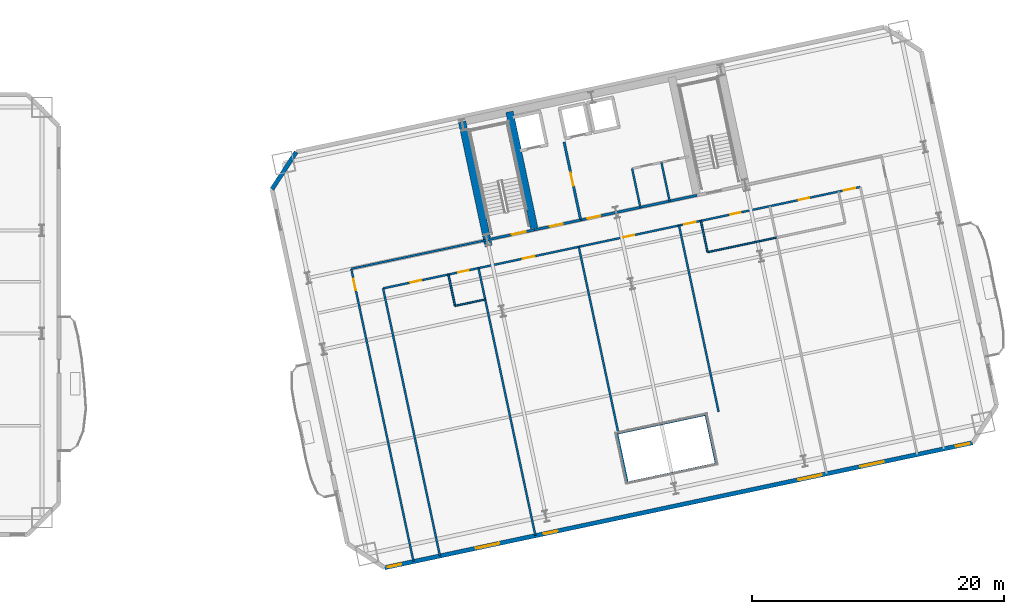
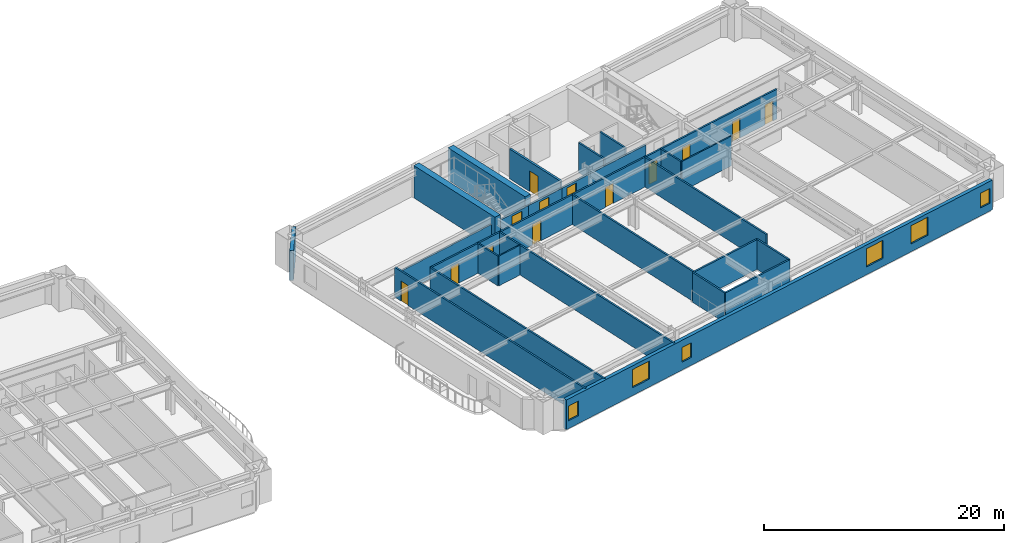
# One storey, part 8 of 17: 25 walls, 13 doors, 6 windows, 19 openings.
"""IFC4 building model written with IfcOpenShell, lengths in metres."""

from ifc_helpers import new_model, si_unit, direction, frame, frame_2d, origin, place, context, subcontext, project, spatial, rectangle, extrude, material, layer, layer_set, type_object, element, fill, save


model = new_model("IFC4")

# Units and contexts
model_context = context("Model", 3, precision=1e-05, world=origin(), true_north=direction((0.0, 1.0)))
body_context = subcontext(model_context, "Body", "Model", "MODEL_VIEW")
ifc_project = project(units=[si_unit("LENGTHUNIT", "METRE"), si_unit("AREAUNIT", "SQUARE_METRE"), si_unit("VOLUMEUNIT", "CUBIC_METRE"), si_unit("PLANEANGLEUNIT", "RADIAN"), si_unit("MASSUNIT", "GRAM", prefix="KILO")], contexts=[model_context])

# Site, building, storey
site_placement = place(None, origin())
site = spatial("IfcSite", under=ifc_project, at=site_placement, CompositionType="ELEMENT")
building_placement = place(site_placement, origin())
building = spatial("IfcBuilding", under=site, at=building_placement, Name="Haevon Station Towers", CompositionType="ELEMENT")
storey_placement = place(building_placement, frame((0.0, 0.0, 37.199951171875)))
storey = spatial("IfcBuildingStorey", under=building, at=storey_placement, Name="L08", CompositionType="ELEMENT", Elevation=37.199951171875)

# Wall, opening, door
ifc_material_1 = material(Name="Gypsum board on steel stud", Category="steel")
ifc_layer_1 = layer(ifc_material_1, 0.199951171875)
ifc_layer_set_1 = layer_set([ifc_layer_1], Name="Gypsum board on steel stud")
wall_type_1 = type_object("IfcWallType", Name="WL-COR200", PredefinedType="PARTITIONING", material=ifc_layer_set_1)
wall_1_placement = place(storey_placement, frame((98.75244140625, 37.4423828125, 0.0), z_axis=(0.0, 0.0, 1.0), x_axis=(0.978143537786, 0.207930804564, 0.0)))
wall_1 = element("IfcWall", 1, at=wall_1_placement, inside=storey, type_object=wall_type_1, Name="WL-ST-ST3-L08", PredefinedType="PARTITIONING", context=body_context, shape_type="SweptSolid", body=[
    extrude(rectangle(XDim=3.85009765625, YDim=0.199951171875, at=frame_2d((1.925048828125, 0.0))), origin(), (0.0, 0.0, 1.0), 2.330078125),
])
opening_1_placement = place(wall_1_placement, frame((2.0, 0.0, 0.0)))
opening_1 = element("IfcOpeningElement", 2, at=opening_1_placement, cuts=wall_1, Name="Opening DR-ST-ST3-L08", PredefinedType="OPENING", context=body_context, shape_type="SweptSolid", body=[
    extrude(rectangle(XDim=1.1201171875, YDim=2.10009765625, at=frame_2d((0.56005859375, 1.050048828125))), frame((0.0, 0.10986328125, 0.0), z_axis=(0.0, -1.0, 0.0), x_axis=(1.0, 0.0, 0.0)), (0.0, 0.0, 1.0), 0.219970703125),
])
ifc_material_2 = material(Name="Engineered oak timber", Category="wood")
door_type_1 = type_object("IfcDoorType", Name="DR-ST-1120", OperationType="NOTDEFINED", PredefinedType="DOOR", material=ifc_material_2)
door_1_placement = place(opening_1_placement, origin())
door_1 = element("IfcDoor", 3, at=door_1_placement, inside=storey, type_object=door_type_1, Name="L08 Escape Stair ST3 Fire Door", OperationType="SINGLE_SWING_RIGHT", OverallHeight=2.10009765625, OverallWidth=1.1201171875, PredefinedType="DOOR", context=body_context, shape_type="SweptSolid", body=[
    extrude(rectangle(XDim=1.1201171875, YDim=2.10009765625, at=frame_2d((0.56005859375, 1.050048828125))), frame((0.0, 0.02490234375, 0.0), z_axis=(0.0, -1.0, 0.0), x_axis=(1.0, 0.0, 0.0)), (0.0, 0.0, 1.0), 0.050048828125),
])
fill(opening_1, door_1)

wall_2_placement = place(storey_placement, frame((106.186279296875, 39.0224609375, 0.0), z_axis=(0.0, 0.0, 1.0), x_axis=(-0.207916691923, 0.978146537703, 0.0)))
wall_2 = element("IfcWall", 4, at=wall_2_placement, inside=storey, type_object=wall_type_1, Name="WL-T2FFL-L08-E", PredefinedType="PARTITIONING", context=body_context, shape_type="SweptSolid", body=[
    extrude(rectangle(XDim=6.35009765625, YDim=0.199951171875, at=frame_2d((3.175048828125, 0.0))), origin(), (0.0, 0.0, 1.0), 3.030029296875),
])
opening_2_placement = place(wall_2_placement, frame((2.800048828125, 0.0, 0.0)))
opening_2 = element("IfcOpeningElement", 5, at=opening_2_placement, cuts=wall_2, Name="Opening DR-T2FFL-L08-E", PredefinedType="OPENING", context=body_context, shape_type="SweptSolid", body=[
    extrude(rectangle(XDim=1.050048828125, YDim=2.10009765625, at=frame_2d((0.52490234375, 1.050048828125))), frame((0.0, 0.10986328125, 0.0), z_axis=(0.0, -1.0, 0.0), x_axis=(1.0, 0.0, 0.0)), (0.0, 0.0, 1.0), 0.219970703125),
])
door_type_2 = type_object("IfcDoorType", Name="DR-FD60-1050", OperationType="NOTDEFINED", PredefinedType="DOOR", material=ifc_material_2)
door_2_placement = place(opening_2_placement, origin())
door_2 = element("IfcDoor", 6, at=door_2_placement, inside=storey, type_object=door_type_2, Name="L08 Tower 2 Firefighting Lift Lobby Door E", OperationType="SINGLE_SWING_RIGHT", OverallHeight=2.10009765625, OverallWidth=1.050048828125, PredefinedType="DOOR", context=body_context, shape_type="SweptSolid", body=[
    extrude(rectangle(XDim=1.050048828125, YDim=2.10009765625, at=frame_2d((0.52490234375, 1.050048828125))), frame((0.0, 0.02490234375, 0.0), z_axis=(0.0, -1.0, 0.0), x_axis=(1.0, 0.0, 0.0)), (0.0, 0.0, 1.0), 0.050048828125),
])
fill(opening_2, door_2)

wall_3_placement = place(storey_placement, frame((102.518310546875, 38.242919921875, 0.0), z_axis=(0.0, 0.0, 1.0), x_axis=(0.978153555683, 0.20788367301, 0.0)))
wall_3 = element("IfcWall", 7, at=wall_3_placement, inside=storey, type_object=wall_type_1, Name="WL-T2FFL-L08-S", PredefinedType="PARTITIONING", context=body_context, shape_type="SweptSolid", body=[
    extrude(rectangle(XDim=3.75, YDim=0.199951171875, at=frame_2d((1.875, 0.0))), origin(), (0.0, 0.0, 1.0), 2.330078125),
])
opening_3_placement = place(wall_3_placement, frame((1.25, 0.0, 0.0)))
opening_3 = element("IfcOpeningElement", 8, at=opening_3_placement, cuts=wall_3, Name="Opening DR-T2FFL-L08-S", PredefinedType="OPENING", context=body_context, shape_type="SweptSolid", body=[
    extrude(rectangle(XDim=1.050048828125, YDim=2.10009765625, at=frame_2d((0.52490234375, 1.050048828125))), frame((0.0, 0.10986328125, 0.0), z_axis=(0.0, -1.0, 0.0), x_axis=(1.0, 0.0, 0.0)), (0.0, 0.0, 1.0), 0.219970703125),
])
door_3_placement = place(opening_3_placement, origin())
door_3 = element("IfcDoor", 9, at=door_3_placement, inside=storey, type_object=door_type_2, Name="L08 Tower 2 Firefighting Lift Lobby Door S", OperationType="SINGLE_SWING_LEFT", OverallHeight=2.10009765625, OverallWidth=1.050048828125, PredefinedType="DOOR", context=body_context, shape_type="SweptSolid", body=[
    extrude(rectangle(XDim=1.050048828125, YDim=2.10009765625, at=frame_2d((0.52490234375, 1.050048828125))), frame((0.0, 0.02490234375, 0.0), z_axis=(0.0, -1.0, 0.0), x_axis=(1.0, 0.0, 0.0)), (0.0, 0.0, 1.0), 0.050048828125),
])
fill(opening_3, door_3)

wall_4_placement = place(storey_placement, frame((106.186279296875, 39.0224609375, 0.0), z_axis=(0.0, 0.0, 1.0), x_axis=(0.978145519981, 0.20792147975, 0.0)))
wall_4 = element("IfcWall", 10, at=wall_4_placement, inside=storey, type_object=wall_type_1, Name="WL-T2CLB-L08", PredefinedType="PARTITIONING", context=body_context, shape_type="SweptSolid", body=[
    extrude(rectangle(XDim=9.449951171875, YDim=0.199951171875, at=frame_2d((4.72509765625, 0.0))), origin(), (0.0, 0.0, 1.0), 2.330078125),
])
opening_4_placement = place(wall_4_placement, frame((0.550048828125, 0.0, 0.0)))
opening_4 = element("IfcOpeningElement", 11, at=opening_4_placement, cuts=wall_4, Name="Opening DR-T2CLB-L08-1", PredefinedType="OPENING", context=body_context, shape_type="SweptSolid", body=[
    extrude(rectangle(XDim=1.050048828125, YDim=2.10009765625, at=frame_2d((0.52490234375, 1.050048828125))), frame((0.0, 0.10986328125, 0.0), z_axis=(0.0, -1.0, 0.0), x_axis=(1.0, 0.0, 0.0)), (0.0, 0.0, 1.0), 0.219970703125),
])
door_4_placement = place(opening_4_placement, origin())
door_4 = element("IfcDoor", 12, at=door_4_placement, inside=storey, type_object=door_type_2, Name="L08 Tower 2 Core Lift Lobby Door 1", OperationType="SINGLE_SWING_RIGHT", OverallHeight=2.10009765625, OverallWidth=1.050048828125, PredefinedType="DOOR", context=body_context, shape_type="SweptSolid", body=[
    extrude(rectangle(XDim=1.050048828125, YDim=2.10009765625, at=frame_2d((0.52490234375, 1.050048828125))), frame((0.0, 0.02490234375, 0.0), z_axis=(0.0, -1.0, 0.0), x_axis=(1.0, 0.0, 0.0)), (0.0, 0.0, 1.0), 0.050048828125),
])
fill(opening_4, door_4)

# Walls
ifc_material_3 = material(Name="Concrete C60/75", Category="concrete")
ifc_layer_2 = layer(ifc_material_3, 0.60009765625)
ifc_layer_set_2 = layer_set([ifc_layer_2], Name="Concrete C60/75")
wall_type_2 = type_object("IfcWallType", Name="WL-CR600", PredefinedType="SHEAR", material=ifc_layer_set_2)
wall_5_placement = place(storey_placement, frame((98.8603515625, 36.933837890625, 0.0), z_axis=(0.0, 0.0, 1.0), x_axis=(-0.20790924889, 0.978148119778, 0.0)))
element("IfcWall", 13, at=wall_5_placement, inside=storey, type_object=wall_type_2, Name="WL-T2CR-L08-W", PredefinedType="SHEAR", context=body_context, shape_type="SweptSolid", body=[
    extrude(rectangle(XDim=10.119873046875, YDim=0.60009765625, at=frame_2d((5.06005859375, 0.0))), origin(), (0.0, 0.0, 1.0), 3.300048828125),
])
wall_6_placement = place(storey_placement, frame((102.518310546875, 38.242919921875, 0.0), z_axis=(0.0, 0.0, 1.0), x_axis=(-0.207927495108, 0.978144241295, 0.0)))
element("IfcWall", 14, at=wall_6_placement, inside=storey, type_object=wall_type_2, Name="WL-T2CR-L08-M1", PredefinedType="SHEAR", context=body_context, shape_type="SweptSolid", body=[
    extrude(rectangle(XDim=9.599853515625, YDim=0.60009765625, at=frame_2d((4.7998046875, 0.0))), origin(), (0.0, 0.0, 1.0), 3.300048828125),
])

# Wall, openings, windows
ifc_material_4 = material(Name="Precast concrete C45/55", Category="concrete")
ifc_layer_3 = layer(ifc_material_4, 0.340087890625)
ifc_layer_set_3 = layer_set([ifc_layer_3], Name="Precast concrete C45/55")
wall_type_3 = type_object("IfcWallType", Name="WL-EXT-PIER340", PredefinedType="SOLIDWALL", material=ifc_layer_set_3)
wall_7_placement = place(storey_placement, frame((137.348876953125, 21.314697265625, 0.0), z_axis=(0.0, 0.0, 1.0), x_axis=(-0.97814729652, -0.207913122027, 0.0)))
wall_7 = element("IfcWall", 15, at=wall_7_placement, inside=storey, type_object=wall_type_3, Name="WL-T2-L08-S", PredefinedType="SOLIDWALL", context=body_context, shape_type="SweptSolid", body=[
    extrude(rectangle(XDim=47.800048828125, YDim=0.340087890625, at=frame_2d((23.89990234375, 0.0))), origin(), (0.0, 0.0, 1.0), 3.030029296875),
])
opening_5_placement = place(wall_7_placement, frame((46.449951171875, 0.0, 0.800048828125)))
opening_5 = element("IfcOpeningElement", 16, at=opening_5_placement, cuts=wall_7, Name="Opening WN-COR110", PredefinedType="OPENING", context=body_context, shape_type="SweptSolid", body=[
    extrude(rectangle(XDim=1.10009765625, YDim=1.5, at=frame_2d((0.550048828125, 0.75))), frame((0.0, 0.179931640625, 0.0), z_axis=(0.0, -1.0, 0.0), x_axis=(1.0, 0.0, 0.0)), (0.0, 0.0, 1.0), 0.360107421875),
])
opening_6_placement = place(wall_7_placement, frame((0.25, 0.0, 0.800048828125)))
opening_6 = element("IfcOpeningElement", 17, at=opening_6_placement, cuts=wall_7, Name="Opening WN-COR110", PredefinedType="OPENING", context=body_context, shape_type="SweptSolid", body=[
    extrude(rectangle(XDim=1.10009765625, YDim=1.5, at=frame_2d((0.550048828125, 0.75))), frame((0.0, 0.179931640625, 0.0), z_axis=(0.0, -1.0, 0.0), x_axis=(1.0, 0.0, 0.0)), (0.0, 0.0, 1.0), 0.360107421875),
])
opening_7_placement = place(wall_7_placement, frame((38.469970703125, 0.0, 0.800048828125)))
opening_7 = element("IfcOpeningElement", 18, at=opening_7_placement, cuts=wall_7, Name="Opening WN-P190", PredefinedType="OPENING", context=body_context, shape_type="SweptSolid", body=[
    extrude(rectangle(XDim=1.89990234375, YDim=1.85009765625, at=frame_2d((0.949951171875, 0.925048828125))), frame((0.0, 0.179931640625, 0.0), z_axis=(0.0, -1.0, 0.0), x_axis=(1.0, 0.0, 0.0)), (0.0, 0.0, 1.0), 0.360107421875),
])
opening_8_placement = place(wall_7_placement, frame((33.74560546875, 0.0, 0.800048828125)))
opening_8 = element("IfcOpeningElement", 19, at=opening_8_placement, cuts=wall_7, Name="Opening WN-COR110", PredefinedType="OPENING", context=body_context, shape_type="SweptSolid", body=[
    extrude(rectangle(XDim=1.10009765625, YDim=1.5, at=frame_2d((0.550048828125, 0.75))), frame((0.0, 0.179931640625, 0.0), z_axis=(0.0, -1.0, 0.0), x_axis=(1.0, 0.0, 0.0)), (0.0, 0.0, 1.0), 0.360107421875),
])
opening_9_placement = place(wall_7_placement, frame((12.251953125, 0.0, 0.800048828125)))
opening_9 = element("IfcOpeningElement", 20, at=opening_9_placement, cuts=wall_7, Name="Opening WN-P190", PredefinedType="OPENING", context=body_context, shape_type="SweptSolid", body=[
    extrude(rectangle(XDim=1.89990234375, YDim=1.85009765625, at=frame_2d((0.949951171875, 0.925048828125))), frame((0.0, 0.179931640625, 0.0), z_axis=(0.0, -1.0, 0.0), x_axis=(1.0, 0.0, 0.0)), (0.0, 0.0, 1.0), 0.360107421875),
])
opening_10_placement = place(wall_7_placement, frame((7.236083984375, 0.0, 0.800048828125)))
opening_10 = element("IfcOpeningElement", 21, at=opening_10_placement, cuts=wall_7, Name="Opening WN-P190", PredefinedType="OPENING", context=body_context, shape_type="SweptSolid", body=[
    extrude(rectangle(XDim=1.89990234375, YDim=1.85009765625, at=frame_2d((0.949951171875, 0.925048828125))), frame((0.0, 0.179931640625, 0.0), z_axis=(0.0, -1.0, 0.0), x_axis=(1.0, 0.0, 0.0)), (0.0, 0.0, 1.0), 0.360107421875),
])
ifc_material_5 = material(Name="Low-E triple glazing in thermally broken aluminium", Category="aluminium")
window_type_1 = type_object("IfcWindowType", Name="WN-COR110", PartitioningType="SINGLE_PANEL", PredefinedType="WINDOW", material=ifc_material_5)
window_1_placement = place(opening_5_placement, origin())
window_1 = element("IfcWindow", 22, at=window_1_placement, inside=storey, type_object=window_type_1, Name="WN-T2-L08-S01", OverallHeight=1.5, OverallWidth=1.10009765625, PartitioningType="SINGLE_PANEL", PredefinedType="WINDOW", context=body_context, shape_type="SweptSolid", body=[
    extrude(rectangle(XDim=1.10009765625, YDim=1.5, at=frame_2d((0.550048828125, 0.75))), frame((0.0, 0.030029296875, 0.0), z_axis=(0.0, -1.0, 0.0), x_axis=(1.0, 0.0, 0.0)), (0.0, 0.0, 1.0), 0.06005859375),
])
fill(opening_5, window_1)
window_2_placement = place(opening_6_placement, origin())
window_2 = element("IfcWindow", 23, at=window_2_placement, inside=storey, type_object=window_type_1, Name="WN-T2-L08-S02", OverallHeight=1.5, OverallWidth=1.10009765625, PartitioningType="SINGLE_PANEL", PredefinedType="WINDOW", context=body_context, shape_type="SweptSolid", body=[
    extrude(rectangle(XDim=1.10009765625, YDim=1.5, at=frame_2d((0.550048828125, 0.75))), frame((0.0, 0.030029296875, 0.0), z_axis=(0.0, -1.0, 0.0), x_axis=(1.0, 0.0, 0.0)), (0.0, 0.0, 1.0), 0.06005859375),
])
fill(opening_6, window_2)
window_3_placement = place(opening_8_placement, origin())
window_3 = element("IfcWindow", 24, at=window_3_placement, inside=storey, type_object=window_type_1, Name="WN-T2-L08-S04", OverallHeight=1.5, OverallWidth=1.10009765625, PartitioningType="SINGLE_PANEL", PredefinedType="WINDOW", context=body_context, shape_type="SweptSolid", body=[
    extrude(rectangle(XDim=1.10009765625, YDim=1.5, at=frame_2d((0.550048828125, 0.75))), frame((0.0, 0.030029296875, 0.0), z_axis=(0.0, -1.0, 0.0), x_axis=(1.0, 0.0, 0.0)), (0.0, 0.0, 1.0), 0.06005859375),
])
fill(opening_8, window_3)
window_type_2 = type_object("IfcWindowType", Name="WN-P190", PartitioningType="SINGLE_PANEL", PredefinedType="WINDOW", material=ifc_material_5)
window_4_placement = place(opening_7_placement, origin())
window_4 = element("IfcWindow", 25, at=window_4_placement, inside=storey, type_object=window_type_2, Name="WN-T2-L08-S03", OverallHeight=1.85009765625, OverallWidth=1.89990234375, PartitioningType="SINGLE_PANEL", PredefinedType="WINDOW", context=body_context, shape_type="SweptSolid", body=[
    extrude(rectangle(XDim=1.89990234375, YDim=1.85009765625, at=frame_2d((0.949951171875, 0.925048828125))), frame((0.0, 0.030029296875, 0.0), z_axis=(0.0, -1.0, 0.0), x_axis=(1.0, 0.0, 0.0)), (0.0, 0.0, 1.0), 0.06005859375),
])
fill(opening_7, window_4)
window_5_placement = place(opening_9_placement, origin())
window_5 = element("IfcWindow", 26, at=window_5_placement, inside=storey, type_object=window_type_2, Name="WN-T2-L08-S05", OverallHeight=1.85009765625, OverallWidth=1.89990234375, PartitioningType="SINGLE_PANEL", PredefinedType="WINDOW", context=body_context, shape_type="SweptSolid", body=[
    extrude(rectangle(XDim=1.89990234375, YDim=1.85009765625, at=frame_2d((0.949951171875, 0.925048828125))), frame((0.0, 0.030029296875, 0.0), z_axis=(0.0, -1.0, 0.0), x_axis=(1.0, 0.0, 0.0)), (0.0, 0.0, 1.0), 0.06005859375),
])
fill(opening_9, window_5)
window_6_placement = place(opening_10_placement, origin())
window_6 = element("IfcWindow", 27, at=window_6_placement, inside=storey, type_object=window_type_2, Name="WN-T2-L08-S06", OverallHeight=1.85009765625, OverallWidth=1.89990234375, PartitioningType="SINGLE_PANEL", PredefinedType="WINDOW", context=body_context, shape_type="SweptSolid", body=[
    extrude(rectangle(XDim=1.89990234375, YDim=1.85009765625, at=frame_2d((0.949951171875, 0.925048828125))), frame((0.0, 0.030029296875, 0.0), z_axis=(0.0, -1.0, 0.0), x_axis=(1.0, 0.0, 0.0)), (0.0, 0.0, 1.0), 0.06005859375),
])
fill(opening_10, window_6)

# Walls
wall_8_placement = place(storey_placement, frame((81.640380859375, 41.47265625, 0.0), z_axis=(0.0, 0.0, 1.0), x_axis=(0.544653380146, 0.838661251934, 0.0)))
element("IfcWall", 28, at=wall_8_placement, inside=storey, type_object=wall_type_3, Name="WL-T2-L08-NWC", PredefinedType="SOLIDWALL", context=body_context, shape_type="SweptSolid", body=[
    extrude(rectangle(XDim=3.535888671875, YDim=0.340087890625, at=frame_2d((1.76806640625, 0.0))), origin(), (0.0, 0.0, 1.0), 3.030029296875),
])
ifc_layer_4 = layer(ifc_material_1, 0.125)
ifc_layer_set_4 = layer_set([ifc_layer_4], Name="Gypsum board on steel stud")
wall_type_4 = type_object("IfcWallType", Name="WL-PRT125", PredefinedType="PARTITIONING", material=ifc_layer_set_4)
wall_9_placement = place(storey_placement, frame((96.197265625, 32.196533203125, 0.0), z_axis=(0.0, 0.0, 1.0), x_axis=(0.978156824814, 0.207868290196, 0.0)))
element("IfcWall", 29, at=wall_9_placement, inside=storey, type_object=wall_type_4, Name="WL-T2PT-L08-11", PredefinedType="PARTITIONING", context=body_context, shape_type="SweptSolid", body=[
    extrude(rectangle(XDim=2.449951171875, YDim=0.125, at=frame_2d((1.22509765625, 0.0))), origin(), (0.0, 0.0, 1.0), 3.030029296875),
])
wall_10_placement = place(storey_placement, frame((116.274658203125, 36.464111328125, 0.0), z_axis=(0.0, 0.0, 1.0), x_axis=(0.978148641405, 0.207906794785, 0.0)))
element("IfcWall", 30, at=wall_10_placement, inside=storey, type_object=wall_type_4, Name="WL-T2PT-L08-17", PredefinedType="PARTITIONING", context=body_context, shape_type="SweptSolid", body=[
    extrude(rectangle(XDim=5.591796875, YDim=0.125, at=frame_2d((2.7958984375, 0.0))), origin(), (0.0, 0.0, 1.0), 3.030029296875),
])
ifc_layer_5 = layer(ifc_material_1, 0.139892578125)
ifc_layer_set_5 = layer_set([ifc_layer_5], Name="Gypsum board on steel stud")
wall_type_5 = type_object("IfcWallType", Name="WL-PRT140", PredefinedType="PARTITIONING", material=ifc_layer_set_5)
for number, where, z_axis, x_axis, name in (
    (31, (96.197265625, 32.196533203125, 0.0), (0.0, 0.0, 1.0), (-0.207940050407, 0.978141572287, 0.0), "WL-T2PT-L08-12"),
    (32, (116.274658203125, 36.464111328125, 0.0), (0.0, 0.0, 1.0), (-0.207940050407, 0.978141572287, 0.0), "WL-T2PT-L08-18"),
):
    element("IfcWall", number, at=place(storey_placement, frame(where, z_axis=z_axis, x_axis=x_axis)), inside=storey, type_object=wall_type_5, Name=name, PredefinedType="PARTITIONING", context=body_context, shape_type="SweptSolid", body=[
        extrude(rectangle(XDim=2.550048828125, YDim=0.139892578125, at=frame_2d((1.27490234375, 0.0))), origin(), (0.0, 0.0, 1.0), 3.030029296875),
    ])
ifc_layer_6 = layer(ifc_material_1, 0.159912109375)
ifc_layer_set_6 = layer_set([ifc_layer_6], Name="Gypsum board on steel stud")
wall_type_6 = type_object("IfcWallType", Name="WL-PRT160", PredefinedType="PARTITIONING", material=ifc_layer_set_6)
wall_11_placement = place(storey_placement, frame((110.93017578125, 40.031005859375, 0.0), z_axis=(0.0, 0.0, 1.0), x_axis=(-0.207877295669, 0.978154911016, 0.0)))
element("IfcWall", 33, at=wall_11_placement, inside=storey, type_object=wall_type_6, Name="WL-T2CW-L08-01", PredefinedType="PARTITIONING", context=body_context, shape_type="SweptSolid", body=[
    extrude(rectangle(XDim=3.14990234375, YDim=0.159912109375, at=frame_2d((1.574951171875, 0.0))), origin(), (0.0, 0.0, 1.0), 3.030029296875),
])
wall_12_placement = place(storey_placement, frame((113.25830078125, 40.525634765625, 0.0), z_axis=(0.0, 0.0, 1.0), x_axis=(-0.207935688634, 0.978142499533, 0.0)))
element("IfcWall", 34, at=wall_12_placement, inside=storey, type_object=wall_type_6, Name="WL-T2CW-L08-02", PredefinedType="PARTITIONING", context=body_context, shape_type="SweptSolid", body=[
    extrude(rectangle(XDim=3.150146484375, YDim=0.159912109375, at=frame_2d((1.5751953125, 0.0))), origin(), (0.0, 0.0, 1.0), 3.030029296875),
])
wall_13_placement = place(storey_placement, frame((94.9951171875, 12.31201171875, 0.0), z_axis=(0.0, 0.0, 1.0), x_axis=(-0.207905205228, 0.978148979266, 0.0)))
element("IfcWall", 35, at=wall_13_placement, inside=storey, type_object=wall_type_6, Name="WL-T2PT-L08-01", PredefinedType="PARTITIONING", context=body_context, shape_type="SweptSolid", body=[
    extrude(rectangle(XDim=21.750244140625, YDim=0.159912109375, at=frame_2d((10.875, 0.0))), origin(), (0.0, 0.0, 1.0), 3.030029296875),
])
wall_14_placement = place(storey_placement, frame((87.94384765625, 35.14501953125, 0.0), z_axis=(0.0, 0.0, 1.0), x_axis=(0.978148967098, 0.207905262477, 0.0)))
element("IfcWall", 36, at=wall_14_placement, inside=storey, type_object=wall_type_6, Name="WL-T2PT-L08-03", PredefinedType="PARTITIONING", context=body_context, shape_type="SweptSolid", body=[
    extrude(rectangle(XDim=11.050048828125, YDim=0.159912109375, at=frame_2d((5.52490234375, 0.0))), origin(), (0.0, 0.0, 1.0), 2.330078125),
])

# Wall, opening, door
wall_15_placement = place(storey_placement, frame((92.89208984375, 11.864990234375, 0.0), z_axis=(0.0, 0.0, 1.0), x_axis=(-0.207908442811, 0.978148291113, 0.0)))
wall_15 = element("IfcWall", 37, at=wall_15_placement, inside=storey, type_object=wall_type_6, Name="WL-T2PT-L08-05", PredefinedType="PARTITIONING", context=body_context, shape_type="SweptSolid", body=[
    extrude(rectangle(XDim=23.800048828125, YDim=0.159912109375, at=frame_2d((11.89990234375, 0.0))), origin(), (0.0, 0.0, 1.0), 3.030029296875),
])
opening_11_placement = place(wall_15_placement, frame((22.070068359375, 0.0, 0.0)))
opening_11 = element("IfcOpeningElement", 38, at=opening_11_placement, cuts=wall_15, Name="Opening DR-WL-T2PT-L08-05-01", PredefinedType="OPENING", context=body_context, shape_type="SweptSolid", body=[
    extrude(rectangle(XDim=0.89990234375, YDim=2.050048828125, at=frame_2d((0.449951171875, 1.02490234375))), frame((0.0, 0.08984375, 0.0), z_axis=(0.0, -1.0, 0.0), x_axis=(1.0, 0.0, 0.0)), (0.0, 0.0, 1.0), 0.179931640625),
])
door_type_3 = type_object("IfcDoorType", Name="DR-INT-900", OperationType="NOTDEFINED", PredefinedType="DOOR", material=ifc_material_2)
door_5_placement = place(opening_11_placement, origin())
door_5 = element("IfcDoor", 39, at=door_5_placement, inside=storey, type_object=door_type_3, Name="L08 Tower 2 Room Door 5-1", OperationType="SINGLE_SWING_LEFT", OverallHeight=2.050048828125, OverallWidth=0.89990234375, PredefinedType="DOOR", context=body_context, shape_type="SweptSolid", body=[
    extrude(rectangle(XDim=0.89990234375, YDim=2.050048828125, at=frame_2d((0.449951171875, 1.02490234375))), frame((0.0, 0.02490234375, 0.0), z_axis=(0.0, -1.0, 0.0), x_axis=(1.0, 0.0, 0.0)), (0.0, 0.0, 1.0), 0.050048828125),
])
fill(opening_11, door_5)

# Walls
for number, where, z_axis, x_axis, name in (
    (40, (109.9091796875, 18.140380859375, 0.0), (0.0, 0.0, 1.0), (0.978151869997, 0.207891604498, 0.0), "WL-T2PT-L08-07"),
    (41, (109.07763671875, 22.052978515625, 0.0), (0.0, 0.0, 1.0), (0.978151869997, 0.207891604498, 0.0), "WL-T2PT-L08-08"),
):
    element("IfcWall", number, at=place(storey_placement, frame(where, z_axis=z_axis, x_axis=x_axis)), inside=storey, type_object=wall_type_6, Name=name, PredefinedType="PARTITIONING", context=body_context, shape_type="SweptSolid", body=[
        extrude(rectangle(XDim=7.199951171875, YDim=0.159912109375, at=frame_2d((3.60009765625, 0.0))), origin(), (0.0, 0.0, 1.0), 3.030029296875),
    ])
for number, where, z_axis, x_axis, name in (
    (42, (109.9091796875, 18.140380859375, 0.0), (0.0, 0.0, 1.0), (-0.207886494942, 0.978152955943, 0.0), "WL-T2PT-L08-09"),
    (43, (116.951904296875, 19.63720703125, 0.0), (0.0, 0.0, 1.0), (-0.207886494942, 0.978152955943, 0.0), "WL-T2PT-L08-10"),
):
    element("IfcWall", number, at=place(storey_placement, frame(where, z_axis=z_axis, x_axis=x_axis)), inside=storey, type_object=wall_type_6, Name=name, PredefinedType="PARTITIONING", context=body_context, shape_type="SweptSolid", body=[
        extrude(rectangle(XDim=4.0, YDim=0.159912109375, at=frame_2d((2.0, 0.0))), origin(), (0.0, 0.0, 1.0), 3.030029296875),
    ])
wall_16_placement = place(storey_placement, frame((102.58544921875, 13.925537109375, 0.0), z_axis=(0.0, 0.0, 1.0), x_axis=(-0.207907487947, 0.978148494072, 0.0)))
element("IfcWall", 44, at=wall_16_placement, inside=storey, type_object=wall_type_6, Name="WL-T2PT-L08-13", PredefinedType="PARTITIONING", context=body_context, shape_type="SweptSolid", body=[
    extrude(rectangle(XDim=21.75, YDim=0.159912109375, at=frame_2d((10.875, 0.0))), origin(), (0.0, 0.0, 1.0), 3.030029296875),
])
for number, where, z_axis, x_axis, name in (
    (45, (109.183349609375, 22.0751953125, 0.0), (0.0, 0.0, 1.0), (-0.207912142001, 0.978147504832, 0.0), "WL-T2PT-L08-14"),
    (46, (117.1533203125, 23.769287109375, 0.0), (0.0, 0.0, 1.0), (-0.207912142001, 0.978147504832, 0.0), "WL-T2PT-L08-15"),
):
    element("IfcWall", number, at=place(storey_placement, frame(where, z_axis=z_axis, x_axis=x_axis)), inside=storey, type_object=wall_type_6, Name=name, PredefinedType="PARTITIONING", context=body_context, shape_type="SweptSolid", body=[
        extrude(rectangle(XDim=15.150146484375, YDim=0.159912109375, at=frame_2d((7.5751953125, 0.0))), origin(), (0.0, 0.0, 1.0), 3.030029296875),
    ])

# Wall, openings, doors
wall_17_placement = place(storey_placement, frame((90.47314453125, 33.5869140625, 0.0), z_axis=(0.0, 0.0, 1.0), x_axis=(0.978148039172, 0.207909628119, 0.0)))
wall_17 = element("IfcWall", 47, at=wall_17_placement, inside=storey, type_object=wall_type_6, Name="WL-T2PT-L08-22", PredefinedType="PARTITIONING", context=body_context, shape_type="SweptSolid", body=[
    extrude(rectangle(XDim=38.800048828125, YDim=0.159912109375, at=frame_2d((19.39990234375, 0.0))), origin(), (0.0, 0.0, 1.0), 3.030029296875),
])
opening_12_placement = place(wall_17_placement, frame((6.110107421875, 0.0, 0.0)))
opening_12 = element("IfcOpeningElement", 48, at=opening_12_placement, cuts=wall_17, Name="Opening DR-WL-T2PT-L08-22-01", PredefinedType="OPENING", context=body_context, shape_type="SweptSolid", body=[
    extrude(rectangle(XDim=0.85009765625, YDim=2.050048828125, at=frame_2d((0.425048828125, 1.02490234375))), frame((0.0, 0.08984375, 0.0), z_axis=(0.0, -1.0, 0.0), x_axis=(1.0, 0.0, 0.0)), (0.0, 0.0, 1.0), 0.179931640625),
])
opening_13_placement = place(wall_17_placement, frame((2.205078125, 0.0, 0.0)))
opening_13 = element("IfcOpeningElement", 49, at=opening_13_placement, cuts=wall_17, Name="Opening DR-WL-T2PT-L08-22-02", PredefinedType="OPENING", context=body_context, shape_type="SweptSolid", body=[
    extrude(rectangle(XDim=0.89990234375, YDim=2.050048828125, at=frame_2d((0.449951171875, 1.02490234375))), frame((0.0, 0.08984375, 0.0), z_axis=(0.0, -1.0, 0.0), x_axis=(1.0, 0.0, 0.0)), (0.0, 0.0, 1.0), 0.179931640625),
])
opening_14_placement = place(wall_17_placement, frame((11.35888671875, 0.0, 0.0)))
opening_14 = element("IfcOpeningElement", 50, at=opening_14_placement, cuts=wall_17, Name="Opening DR-WL-T2PT-L08-22-03", PredefinedType="OPENING", context=body_context, shape_type="SweptSolid", body=[
    extrude(rectangle(XDim=0.949951171875, YDim=2.10009765625, at=frame_2d((0.47509765625, 1.050048828125))), frame((0.0, 0.08984375, 0.0), z_axis=(0.0, -1.0, 0.0), x_axis=(1.0, 0.0, 0.0)), (0.0, 0.0, 1.0), 0.179931640625),
])
opening_15_placement = place(wall_17_placement, frame((19.531982421875, 0.0, 0.0)))
opening_15 = element("IfcOpeningElement", 51, at=opening_15_placement, cuts=wall_17, Name="Opening DR-WL-T2PT-L08-22-04", PredefinedType="OPENING", context=body_context, shape_type="SweptSolid", body=[
    extrude(rectangle(XDim=0.89990234375, YDim=2.050048828125, at=frame_2d((0.449951171875, 1.02490234375))), frame((0.0, 0.08984375, 0.0), z_axis=(0.0, -1.0, 0.0), x_axis=(1.0, 0.0, 0.0)), (0.0, 0.0, 1.0), 0.179931640625),
])
opening_16_placement = place(wall_17_placement, frame((28.20703125, 0.0, 0.0)))
opening_16 = element("IfcOpeningElement", 52, at=opening_16_placement, cuts=wall_17, Name="Opening DR-WL-T2PT-L08-22-05", PredefinedType="OPENING", context=body_context, shape_type="SweptSolid", body=[
    extrude(rectangle(XDim=0.85009765625, YDim=2.050048828125, at=frame_2d((0.425048828125, 1.02490234375))), frame((0.0, 0.08984375, 0.0), z_axis=(0.0, -1.0, 0.0), x_axis=(1.0, 0.0, 0.0)), (0.0, 0.0, 1.0), 0.179931640625),
])
opening_17_placement = place(wall_17_placement, frame((24.49609375, 0.0, 0.0)))
opening_17 = element("IfcOpeningElement", 53, at=opening_17_placement, cuts=wall_17, Name="Opening DR-WL-T2PT-L08-22-06", PredefinedType="OPENING", context=body_context, shape_type="SweptSolid", body=[
    extrude(rectangle(XDim=0.89990234375, YDim=2.050048828125, at=frame_2d((0.449951171875, 1.02490234375))), frame((0.0, 0.08984375, 0.0), z_axis=(0.0, -1.0, 0.0), x_axis=(1.0, 0.0, 0.0)), (0.0, 0.0, 1.0), 0.179931640625),
])
opening_18_placement = place(wall_17_placement, frame((33.799072265625, 0.0, 0.0)))
opening_18 = element("IfcOpeningElement", 54, at=opening_18_placement, cuts=wall_17, Name="Opening DR-WL-T2PT-L08-22-07", PredefinedType="OPENING", context=body_context, shape_type="SweptSolid", body=[
    extrude(rectangle(XDim=0.85009765625, YDim=2.050048828125, at=frame_2d((0.425048828125, 1.02490234375))), frame((0.0, 0.08984375, 0.0), z_axis=(0.0, -1.0, 0.0), x_axis=(1.0, 0.0, 0.0)), (0.0, 0.0, 1.0), 0.179931640625),
])
opening_19_placement = place(wall_17_placement, frame((37.4599609375, 0.0, 0.0)))
opening_19 = element("IfcOpeningElement", 55, at=opening_19_placement, cuts=wall_17, Name="Opening DR-WL-T2PT-L08-22-08", PredefinedType="OPENING", context=body_context, shape_type="SweptSolid", body=[
    extrude(rectangle(XDim=0.89990234375, YDim=2.050048828125, at=frame_2d((0.449951171875, 1.02490234375))), frame((0.0, 0.08984375, 0.0), z_axis=(0.0, -1.0, 0.0), x_axis=(1.0, 0.0, 0.0)), (0.0, 0.0, 1.0), 0.179931640625),
])
door_type_4 = type_object("IfcDoorType", Name="DR-FD30-850", OperationType="NOTDEFINED", PredefinedType="DOOR", material=ifc_material_2)
door_6_placement = place(opening_12_placement, origin())
door_6 = element("IfcDoor", 56, at=door_6_placement, inside=storey, type_object=door_type_4, Name="L08 Tower 2 Room Door 22-1", OperationType="SINGLE_SWING_LEFT", OverallHeight=2.050048828125, OverallWidth=0.85009765625, PredefinedType="DOOR", context=body_context, shape_type="SweptSolid", body=[
    extrude(rectangle(XDim=0.85009765625, YDim=2.050048828125, at=frame_2d((0.425048828125, 1.02490234375))), frame((0.0, 0.02490234375, 0.0), z_axis=(0.0, -1.0, 0.0), x_axis=(1.0, 0.0, 0.0)), (0.0, 0.0, 1.0), 0.050048828125),
])
fill(opening_12, door_6)
door_7_placement = place(opening_16_placement, origin())
door_7 = element("IfcDoor", 57, at=door_7_placement, inside=storey, type_object=door_type_4, Name="L08 Tower 2 Room Door 22-5", OperationType="SINGLE_SWING_LEFT", OverallHeight=2.050048828125, OverallWidth=0.85009765625, PredefinedType="DOOR", context=body_context, shape_type="SweptSolid", body=[
    extrude(rectangle(XDim=0.85009765625, YDim=2.050048828125, at=frame_2d((0.425048828125, 1.02490234375))), frame((0.0, 0.02490234375, 0.0), z_axis=(0.0, -1.0, 0.0), x_axis=(1.0, 0.0, 0.0)), (0.0, 0.0, 1.0), 0.050048828125),
])
fill(opening_16, door_7)
door_8_placement = place(opening_18_placement, origin())
door_8 = element("IfcDoor", 58, at=door_8_placement, inside=storey, type_object=door_type_4, Name="L08 Tower 2 Room Door 22-7", OperationType="SINGLE_SWING_LEFT", OverallHeight=2.050048828125, OverallWidth=0.85009765625, PredefinedType="DOOR", context=body_context, shape_type="SweptSolid", body=[
    extrude(rectangle(XDim=0.85009765625, YDim=2.050048828125, at=frame_2d((0.425048828125, 1.02490234375))), frame((0.0, 0.02490234375, 0.0), z_axis=(0.0, -1.0, 0.0), x_axis=(1.0, 0.0, 0.0)), (0.0, 0.0, 1.0), 0.050048828125),
])
fill(opening_18, door_8)
door_type_5 = type_object("IfcDoorType", Name="DR-FD30-950", OperationType="NOTDEFINED", PredefinedType="DOOR", material=ifc_material_2)
door_9_placement = place(opening_14_placement, origin())
door_9 = element("IfcDoor", 59, at=door_9_placement, inside=storey, type_object=door_type_5, Name="L08 Tower 2 Room Door 22-3", OperationType="SINGLE_SWING_LEFT", OverallHeight=2.10009765625, OverallWidth=0.949951171875, PredefinedType="DOOR", context=body_context, shape_type="SweptSolid", body=[
    extrude(rectangle(XDim=0.949951171875, YDim=2.10009765625, at=frame_2d((0.47509765625, 1.050048828125))), frame((0.0, 0.02490234375, 0.0), z_axis=(0.0, -1.0, 0.0), x_axis=(1.0, 0.0, 0.0)), (0.0, 0.0, 1.0), 0.050048828125),
])
fill(opening_14, door_9)
door_10_placement = place(opening_13_placement, origin())
door_10 = element("IfcDoor", 60, at=door_10_placement, inside=storey, type_object=door_type_3, Name="L08 Tower 2 Room Door 22-2", OperationType="SINGLE_SWING_RIGHT", OverallHeight=2.050048828125, OverallWidth=0.89990234375, PredefinedType="DOOR", context=body_context, shape_type="SweptSolid", body=[
    extrude(rectangle(XDim=0.89990234375, YDim=2.050048828125, at=frame_2d((0.449951171875, 1.02490234375))), frame((0.0, 0.02490234375, 0.0), z_axis=(0.0, -1.0, 0.0), x_axis=(1.0, 0.0, 0.0)), (0.0, 0.0, 1.0), 0.050048828125),
])
fill(opening_13, door_10)
door_11_placement = place(opening_15_placement, origin())
door_11 = element("IfcDoor", 61, at=door_11_placement, inside=storey, type_object=door_type_3, Name="L08 Tower 2 Room Door 22-4", OperationType="SINGLE_SWING_RIGHT", OverallHeight=2.050048828125, OverallWidth=0.89990234375, PredefinedType="DOOR", context=body_context, shape_type="SweptSolid", body=[
    extrude(rectangle(XDim=0.89990234375, YDim=2.050048828125, at=frame_2d((0.449951171875, 1.02490234375))), frame((0.0, 0.02490234375, 0.0), z_axis=(0.0, -1.0, 0.0), x_axis=(1.0, 0.0, 0.0)), (0.0, 0.0, 1.0), 0.050048828125),
])
fill(opening_15, door_11)
door_12_placement = place(opening_17_placement, origin())
door_12 = element("IfcDoor", 62, at=door_12_placement, inside=storey, type_object=door_type_3, Name="L08 Tower 2 Room Door 22-6", OperationType="SINGLE_SWING_RIGHT", OverallHeight=2.050048828125, OverallWidth=0.89990234375, PredefinedType="DOOR", context=body_context, shape_type="SweptSolid", body=[
    extrude(rectangle(XDim=0.89990234375, YDim=2.050048828125, at=frame_2d((0.449951171875, 1.02490234375))), frame((0.0, 0.02490234375, 0.0), z_axis=(0.0, -1.0, 0.0), x_axis=(1.0, 0.0, 0.0)), (0.0, 0.0, 1.0), 0.050048828125),
])
fill(opening_17, door_12)
door_13_placement = place(opening_19_placement, origin())
door_13 = element("IfcDoor", 63, at=door_13_placement, inside=storey, type_object=door_type_3, Name="L08 Tower 2 Room Door 22-8", OperationType="SINGLE_SWING_RIGHT", OverallHeight=2.050048828125, OverallWidth=0.89990234375, PredefinedType="DOOR", context=body_context, shape_type="SweptSolid", body=[
    extrude(rectangle(XDim=0.89990234375, YDim=2.050048828125, at=frame_2d((0.449951171875, 1.02490234375))), frame((0.0, 0.02490234375, 0.0), z_axis=(0.0, -1.0, 0.0), x_axis=(1.0, 0.0, 0.0)), (0.0, 0.0, 1.0), 0.050048828125),
])
fill(opening_19, door_13)

save(model, "model.ifc")
